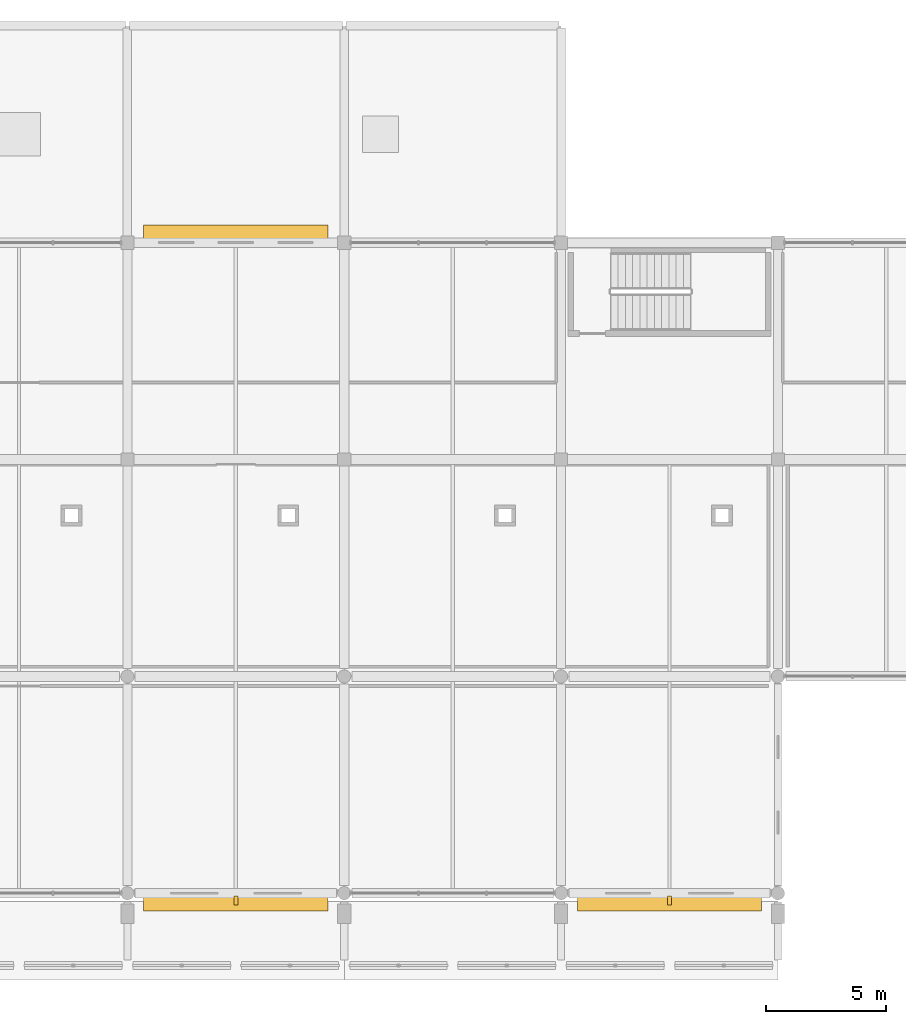
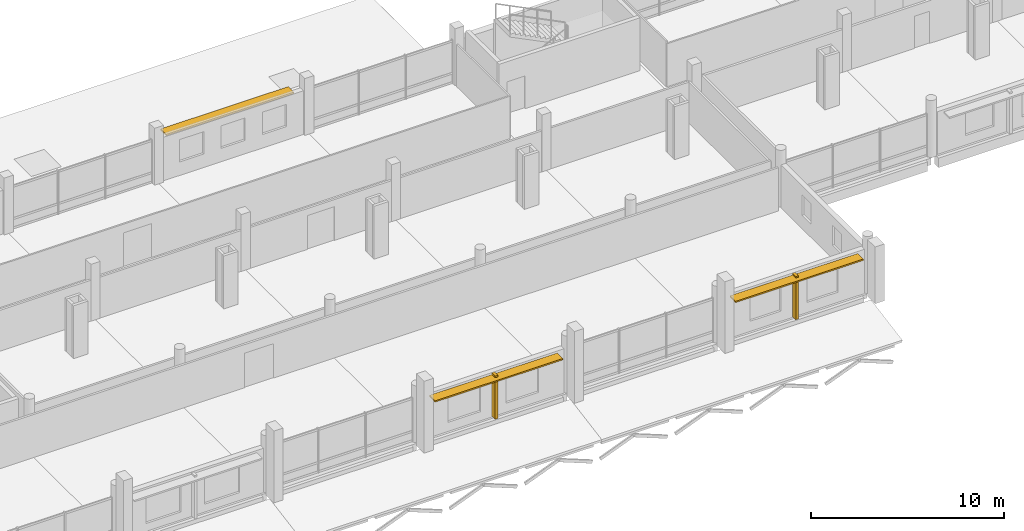
# One storey, part 127 of 132: 5 shading devices.
"""IFC4 building model written with IfcOpenShell, lengths in metres."""

from ifc_helpers import new_model, si_unit, direction, frame, origin, origin_2d, place, context, subcontext, project, spatial, rectangle, extrude, material, layer, layer_set, type_object, element, save


model = new_model("IFC4")

# Units and contexts
model_context = context("Model", 3, precision=1e-05, world=origin(), true_north=direction((0.0, 1.0)))
body_context = subcontext(model_context, "Body", "Model", "MODEL_VIEW")
ifc_project = project(units=[si_unit("LENGTHUNIT", "METRE"), si_unit("AREAUNIT", "SQUARE_METRE"), si_unit("VOLUMEUNIT", "CUBIC_METRE"), si_unit("PLANEANGLEUNIT", "RADIAN"), si_unit("MASSUNIT", "GRAM", prefix="KILO")], contexts=[model_context])

# Site, building, storey
site_placement = place(None, origin())
site = spatial("IfcSite", under=ifc_project, at=site_placement, CompositionType="ELEMENT")
building_placement = place(site_placement, origin())
building = spatial("IfcBuilding", under=site, at=building_placement, Name="Tharagai Park Tramway Depot", CompositionType="ELEMENT")
storey_placement = place(building_placement, frame((0.0, 0.0, 4.800048828125)))
storey = spatial("IfcBuildingStorey", under=building, at=storey_placement, Name="L01", CompositionType="ELEMENT", Elevation=4.800048828125)

# Shading devices
ifc_material_1 = material(Name="Anodised aluminium", Category="aluminium")
ifc_layer_1 = layer(ifc_material_1, 0.090087890625)
ifc_layer_set_1 = layer_set([ifc_layer_1], Name="Anodised aluminium")
shading_device_type_1 = type_object("IfcShadingDeviceType", Name="SD-01", PredefinedType="SHUTTER", material=ifc_layer_set_1)
for number, where, z_axis, x_axis, name in (
    (1, (166.5, -0.43994140625, 2.5771484375), (0.0, 0.0, 1.0), (1.0, 0.0, 0.0), "Monsoon Storm Louvre Hood SD-01 #7"),
    (2, (184.5, -0.43994140625, 2.5771484375), (0.0, 0.0, 1.0), (1.0, 0.0, 0.0), "Monsoon Storm Louvre Hood SD-01 #8"),
    (3, (166.5, 27.43994140625, 2.537109375), (0.0, 0.0, 1.0), (1.0, 0.0, 0.0), "Monsoon Storm Louvre Hood SD-01 #13"),
):
    element("IfcShadingDevice", number, at=place(storey_placement, frame(where, z_axis=z_axis, x_axis=x_axis)), inside=storey, type_object=shading_device_type_1, Name=name, PredefinedType="SHUTTER", context=body_context, shape_type="SweptSolid", body=[
        extrude(rectangle(XDim=7.654052734375, YDim=0.580078125, at=origin_2d()), origin(), (0.0, 0.0, 1.0), 0.090087890625),
    ])
ifc_material_2 = material(Name="Charnockite stone", Category="masonry")
ifc_layer_2 = layer(ifc_material_2, 0.159912109375)
ifc_layer_set_2 = layer_set([ifc_layer_2], Name="Charnockite stone")
shading_device_type_2 = type_object("IfcShadingDeviceType", Name="SD-02", PredefinedType="JALOUSIE", material=ifc_layer_set_2)
for number, where, z_axis, x_axis, name in (
    (4, (166.5, -0.300048828125, 0.02978515625), (0.0, 0.0, 1.0), (1.0, 0.0, 0.0), "Charnockite Gothic Lancet Mullion Fin SD-02 #7"),
    (5, (184.5, -0.300048828125, 0.02978515625), (0.0, 0.0, 1.0), (1.0, 0.0, 0.0), "Charnockite Gothic Lancet Mullion Fin SD-02 #8"),
):
    element("IfcShadingDevice", number, at=place(storey_placement, frame(where, z_axis=z_axis, x_axis=x_axis)), inside=storey, type_object=shading_device_type_2, Name=name, PredefinedType="JALOUSIE", context=body_context, shape_type="SweptSolid", body=[
        extrude(rectangle(XDim=0.159912109375, YDim=0.360107421875, at=origin_2d()), origin(), (0.0, 0.0, 1.0), 2.741943359375),
    ])

save(model, "model.ifc")
